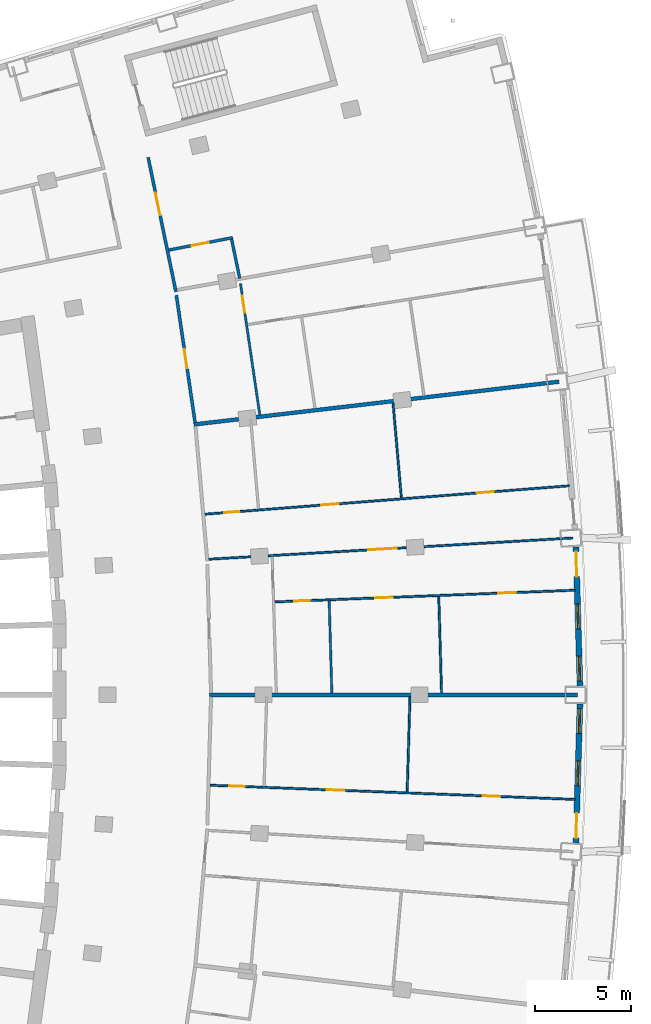
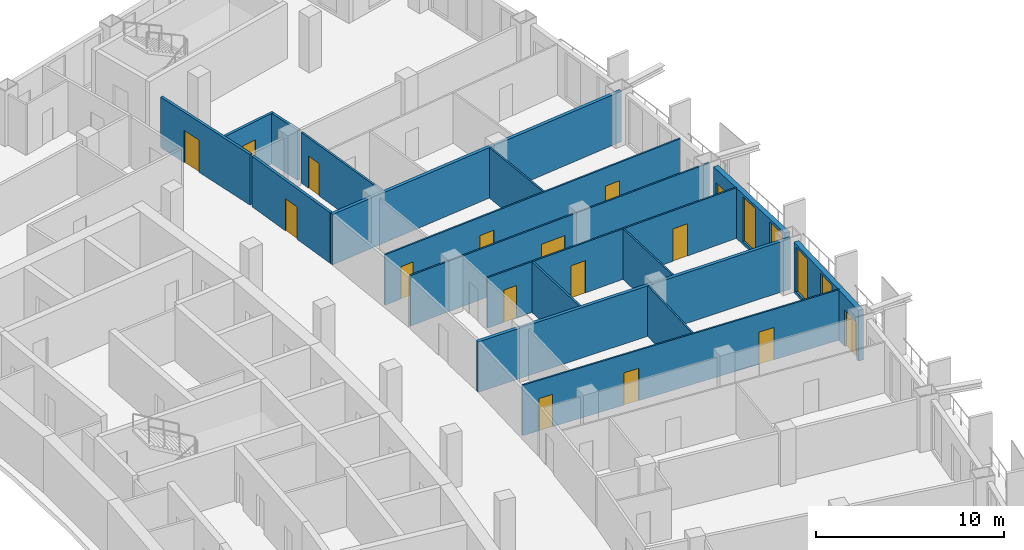
# One storey, part 15 of 20: 17 walls, 16 doors, 4 windows, 20 openings.
"""IFC4 building model written with IfcOpenShell, lengths in metres."""

from ifc_helpers import new_model, si_unit, direction, frame, frame_2d, origin, place, context, subcontext, project, spatial, rectangle, extrude, material, layer, layer_set, type_object, element, fill, save


model = new_model("IFC4")

# Units and contexts
model_context = context("Model", 3, precision=1e-05, world=origin(), true_north=direction((0.0, 1.0)))
body_context = subcontext(model_context, "Body", "Model", "MODEL_VIEW")
ifc_project = project(units=[si_unit("LENGTHUNIT", "METRE"), si_unit("AREAUNIT", "SQUARE_METRE"), si_unit("VOLUMEUNIT", "CUBIC_METRE"), si_unit("PLANEANGLEUNIT", "RADIAN"), si_unit("MASSUNIT", "GRAM", prefix="KILO")], contexts=[model_context])

# Site, building, storey
site_placement = place(None, origin())
site = spatial("IfcSite", under=ifc_project, at=site_placement, CompositionType="ELEMENT")
building_placement = place(site_placement, origin())
building = spatial("IfcBuilding", under=site, at=building_placement, Name="Alderwake Tower", CompositionType="ELEMENT")
storey_placement = place(building_placement, frame((0.0, 0.0, 142.39990234375)))
storey = spatial("IfcBuildingStorey", under=building, at=storey_placement, Name="L34", CompositionType="ELEMENT", Elevation=142.39990234375)

# Wall, opening, door
ifc_material_1 = material(Name="Gypsum board on metal studs, rated")
ifc_layer_1 = layer(ifc_material_1, 0.159912109375)
ifc_layer_set_1 = layer_set([ifc_layer_1], Name="Corridor wall 160")
wall_type_1 = type_object("IfcWallType", Name="Corridor wall 160", PredefinedType="PARTITIONING", material=ifc_layer_set_1)
wall_1_placement = place(storey_placement, frame((37.9169921875, 89.02490234375, 0.0), z_axis=(0.0, 0.0, 1.0), x_axis=(0.202409142021, -0.979301046271, 0.0)))
wall_1 = element("IfcWall", 1, at=wall_1_placement, inside=storey, type_object=wall_type_1, Name="WL/L34/W23", PredefinedType="PARTITIONING", context=body_context, shape_type="SweptSolid", body=[
    extrude(rectangle(XDim=7.150146484375, YDim=0.159912109375, at=frame_2d((3.5751953125, 0.0))), origin(), (0.0, 0.0, 1.0), 3.280029296875),
])
opening_1_placement = place(wall_1_placement, frame((1.874755859375, 0.0, 0.0)))
opening_1 = element("IfcOpeningElement", 2, at=opening_1_placement, cuts=wall_1, Name="Opening R09-AM1.1", PredefinedType="OPENING", context=body_context, shape_type="SweptSolid", body=[
    extrude(rectangle(XDim=1.199951171875, YDim=2.10009765625, at=frame_2d((0.60009765625, 1.050048828125))), frame((0.0, 0.08984375, 0.0), z_axis=(0.0, -1.0, 0.0), x_axis=(1.0, 0.0, 0.0)), (0.0, 0.0, 1.0), 0.179931640625),
])
ifc_material_2 = material(Name="Steel-framed fire door leaf", Category="steel")
door_type_1 = type_object("IfcDoorType", Name="Lobby door 1200 fire-rated", OperationType="SINGLE_SWING_LEFT", PredefinedType="DOOR", material=ifc_material_2)
door_1_placement = place(opening_1_placement, origin())
door_1 = element("IfcDoor", 3, at=door_1_placement, inside=storey, type_object=door_type_1, Name="DR/L34/AM1.1", OperationType="SINGLE_SWING_LEFT", OverallHeight=2.10009765625, OverallWidth=1.199951171875, PredefinedType="DOOR", context=body_context, shape_type="SweptSolid", body=[
    extrude(rectangle(XDim=1.199951171875, YDim=2.10009765625, at=frame_2d((0.60009765625, 1.050048828125))), frame((0.0, 0.02490234375, 0.0), z_axis=(0.0, -1.0, 0.0), x_axis=(1.0, 0.0, 0.0)), (0.0, 0.0, 1.0), 0.050048828125),
])
fill(opening_1, door_1)

wall_2_placement = place(storey_placement, frame((39.38671875, 81.837158203125, 0.0), z_axis=(0.0, 0.0, 1.0), x_axis=(0.145576845789, -0.989346947218, 0.0)))
wall_2 = element("IfcWall", 4, at=wall_2_placement, inside=storey, type_object=wall_type_1, Name="WL/L34/W25", PredefinedType="PARTITIONING", context=body_context, shape_type="SweptSolid", body=[
    extrude(rectangle(XDim=6.701416015625, YDim=0.159912109375, at=frame_2d((3.3505859375, 0.0))), origin(), (0.0, 0.0, 1.0), 3.280029296875),
])
opening_2_placement = place(wall_2_placement, frame((2.850830078125, 0.0, 0.0)))
opening_2 = element("IfcOpeningElement", 5, at=opening_2_placement, cuts=wall_2, Name="Opening R09-U07.2", PredefinedType="OPENING", context=body_context, shape_type="SweptSolid", body=[
    extrude(rectangle(XDim=1.0, YDim=2.10009765625, at=frame_2d((0.5, 1.050048828125))), frame((0.0, 0.08984375, 0.0), z_axis=(0.0, -1.0, 0.0), x_axis=(1.0, 0.0, 0.0)), (0.0, 0.0, 1.0), 0.179931640625),
])
ifc_material_3 = material(Name="Solid timber leaf in steel frame", Category="steel")
door_type_2 = type_object("IfcDoorType", Name="Flat entrance door 1000 fire-rated", OperationType="SINGLE_SWING_LEFT", PredefinedType="DOOR", material=ifc_material_3)
door_2_placement = place(opening_2_placement, origin())
door_2 = element("IfcDoor", 6, at=door_2_placement, inside=storey, type_object=door_type_2, Name="DR/L34/U07.2", OperationType="SINGLE_SWING_LEFT", OverallHeight=2.10009765625, OverallWidth=1.0, PredefinedType="DOOR", context=body_context, shape_type="SweptSolid", body=[
    extrude(rectangle(XDim=1.0, YDim=2.10009765625, at=frame_2d((0.5, 1.050048828125))), frame((0.0, 0.02490234375, 0.0), z_axis=(0.0, -1.0, 0.0), x_axis=(1.0, 0.0, 0.0)), (0.0, 0.0, 1.0), 0.050048828125),
])
fill(opening_2, door_2)

# Wall, openings, door, windows
ifc_material_4 = material(Name="Precast concrete C50/60 spandrel panel", Category="concrete")
ifc_layer_2 = layer(ifc_material_4, 0.300048828125)
ifc_layer_set_2 = layer_set([ifc_layer_2], Name="External wall EW1 Precast concrete C50/60 spandrel")
wall_type_2 = type_object("IfcWallType", Name="External wall EW1 Precast concrete C50/60 spandrel", PredefinedType="SOLIDWALL", material=ifc_layer_set_2)
wall_3_placement = place(storey_placement, frame((60.224853515625, 53.28466796875, 0.0), z_axis=(0.0, 0.0, 1.0), x_axis=(0.02918022007, 0.999574166711, 0.0)))
wall_3 = element("IfcWall", 7, at=wall_3_placement, inside=storey, type_object=wall_type_2, Name="External wall 15", PredefinedType="SOLIDWALL", context=body_context, shape_type="SweptSolid", body=[
    extrude(rectangle(XDim=7.24560546875, YDim=0.300048828125, at=frame_2d((3.622802734375, 0.0))), origin(), (0.0, 0.0, 1.0), 3.280029296875),
])
opening_3_placement = place(wall_3_placement, frame((0.2470703125, 0.0, 0.0)))
opening_3 = element("IfcOpeningElement", 8, at=opening_3_placement, cuts=wall_3, Name="Opening D05", PredefinedType="OPENING", context=body_context, shape_type="SweptSolid", body=[
    extrude(rectangle(XDim=1.300048828125, YDim=2.39990234375, at=frame_2d((0.64990234375, 1.199951171875))), frame((0.0, 0.159912109375, 0.0), z_axis=(0.0, -1.0, 0.0), x_axis=(1.0, 0.0, 0.0)), (0.0, 0.0, 1.0), 0.320068359375),
])
opening_4_placement = place(wall_3_placement, frame((2.97265625, 0.0, 0.199951171875)))
opening_4 = element("IfcOpeningElement", 9, at=opening_4_placement, cuts=wall_3, Name="Opening W1", PredefinedType="OPENING", context=body_context, shape_type="SweptSolid", body=[
    extrude(rectangle(XDim=1.300048828125, YDim=2.89990234375, at=frame_2d((0.64990234375, 1.449951171875))), frame((0.0, 0.159912109375, 0.0), z_axis=(0.0, -1.0, 0.0), x_axis=(1.0, 0.0, 0.0)), (0.0, 0.0, 1.0), 0.320068359375),
])
opening_5_placement = place(wall_3_placement, frame((5.698486328125, 0.0, 0.199951171875)))
opening_5 = element("IfcOpeningElement", 10, at=opening_5_placement, cuts=wall_3, Name="Opening W1", PredefinedType="OPENING", context=body_context, shape_type="SweptSolid", body=[
    extrude(rectangle(XDim=1.300048828125, YDim=2.89990234375, at=frame_2d((0.64990234375, 1.449951171875))), frame((0.0, 0.159912109375, 0.0), z_axis=(0.0, -1.0, 0.0), x_axis=(1.0, 0.0, 0.0)), (0.0, 0.0, 1.0), 0.320068359375),
])
ifc_material_5 = material(Name="Bronze tinted glass in aluminium frame", Category="aluminium")
door_type_3 = type_object("IfcDoorType", Name="Balcony door BD sliding", OperationType="SLIDING_TO_LEFT", PredefinedType="DOOR", material=ifc_material_5)
door_3_placement = place(opening_3_placement, origin())
door_3 = element("IfcDoor", 11, at=door_3_placement, inside=storey, type_object=door_type_3, Name="Door D05", OperationType="SLIDING_TO_LEFT", OverallHeight=2.39990234375, OverallWidth=1.300048828125, PredefinedType="DOOR", context=body_context, shape_type="SweptSolid", body=[
    extrude(rectangle(XDim=1.300048828125, YDim=2.39990234375, at=frame_2d((0.64990234375, 1.199951171875))), frame((0.0, 0.02490234375, 0.0), z_axis=(0.0, -1.0, 0.0), x_axis=(1.0, 0.0, 0.0)), (0.0, 0.0, 1.0), 0.050048828125),
])
fill(opening_3, door_3)
ifc_material_6 = material(Name="Bronze tinted glass in aluminium frame", Category="aluminium")
window_type = type_object("IfcWindowType", Name="Window W1 tall fixed and vent", PartitioningType="DOUBLE_PANEL_VERTICAL", PredefinedType="WINDOW", material=ifc_material_6)
window_1_placement = place(opening_4_placement, origin())
window_1 = element("IfcWindow", 12, at=window_1_placement, inside=storey, type_object=window_type, Name="Window W1 tall fixed and vent", OverallHeight=2.89990234375, OverallWidth=1.300048828125, PartitioningType="DOUBLE_PANEL_VERTICAL", PredefinedType="WINDOW", context=body_context, shape_type="SweptSolid", body=[
    extrude(rectangle(XDim=1.300048828125, YDim=2.89990234375, at=frame_2d((0.64990234375, 1.449951171875))), frame((0.0, 0.030029296875, 0.0), z_axis=(0.0, -1.0, 0.0), x_axis=(1.0, 0.0, 0.0)), (0.0, 0.0, 1.0), 0.06005859375),
])
fill(opening_4, window_1)
window_2_placement = place(opening_5_placement, origin())
window_2 = element("IfcWindow", 13, at=window_2_placement, inside=storey, type_object=window_type, Name="Window W1 tall fixed and vent", OverallHeight=2.89990234375, OverallWidth=1.300048828125, PartitioningType="DOUBLE_PANEL_VERTICAL", PredefinedType="WINDOW", context=body_context, shape_type="SweptSolid", body=[
    extrude(rectangle(XDim=1.300048828125, YDim=2.89990234375, at=frame_2d((0.64990234375, 1.449951171875))), frame((0.0, 0.030029296875, 0.0), z_axis=(0.0, -1.0, 0.0), x_axis=(1.0, 0.0, 0.0)), (0.0, 0.0, 1.0), 0.06005859375),
])
fill(opening_5, window_2)

wall_4_placement = place(storey_placement, frame((60.436279296875, 61.472900390625, 0.0), z_axis=(0.0, 0.0, 1.0), x_axis=(-0.02918022007, 0.999574166711, 0.0)))
wall_4 = element("IfcWall", 14, at=wall_4_placement, inside=storey, type_object=wall_type_2, Name="External wall 16", PredefinedType="SOLIDWALL", context=body_context, shape_type="SweptSolid", body=[
    extrude(rectangle(XDim=7.24560546875, YDim=0.300048828125, at=frame_2d((3.622802734375, 0.0))), origin(), (0.0, 0.0, 1.0), 3.280029296875),
])
opening_6_placement = place(wall_4_placement, frame((0.2470703125, 0.0, 0.199951171875)))
opening_6 = element("IfcOpeningElement", 15, at=opening_6_placement, cuts=wall_4, Name="Opening W1", PredefinedType="OPENING", context=body_context, shape_type="SweptSolid", body=[
    extrude(rectangle(XDim=1.300048828125, YDim=2.89990234375, at=frame_2d((0.64990234375, 1.449951171875))), frame((0.0, 0.159912109375, 0.0), z_axis=(0.0, -1.0, 0.0), x_axis=(1.0, 0.0, 0.0)), (0.0, 0.0, 1.0), 0.320068359375),
])
opening_7_placement = place(wall_4_placement, frame((2.97265625, 0.0, 0.199951171875)))
opening_7 = element("IfcOpeningElement", 16, at=opening_7_placement, cuts=wall_4, Name="Opening W1", PredefinedType="OPENING", context=body_context, shape_type="SweptSolid", body=[
    extrude(rectangle(XDim=1.300048828125, YDim=2.89990234375, at=frame_2d((0.64990234375, 1.449951171875))), frame((0.0, 0.159912109375, 0.0), z_axis=(0.0, -1.0, 0.0), x_axis=(1.0, 0.0, 0.0)), (0.0, 0.0, 1.0), 0.320068359375),
])
opening_8_placement = place(wall_4_placement, frame((5.698486328125, 0.0, 0.0)))
opening_8 = element("IfcOpeningElement", 17, at=opening_8_placement, cuts=wall_4, Name="Opening D06", PredefinedType="OPENING", context=body_context, shape_type="SweptSolid", body=[
    extrude(rectangle(XDim=1.300048828125, YDim=2.39990234375, at=frame_2d((0.64990234375, 1.199951171875))), frame((0.0, 0.159912109375, 0.0), z_axis=(0.0, -1.0, 0.0), x_axis=(1.0, 0.0, 0.0)), (0.0, 0.0, 1.0), 0.320068359375),
])
door_4_placement = place(opening_8_placement, origin())
door_4 = element("IfcDoor", 18, at=door_4_placement, inside=storey, type_object=door_type_3, Name="Door D06", OperationType="SLIDING_TO_LEFT", OverallHeight=2.39990234375, OverallWidth=1.300048828125, PredefinedType="DOOR", context=body_context, shape_type="SweptSolid", body=[
    extrude(rectangle(XDim=1.300048828125, YDim=2.39990234375, at=frame_2d((0.64990234375, 1.199951171875))), frame((0.0, 0.02490234375, 0.0), z_axis=(0.0, -1.0, 0.0), x_axis=(1.0, 0.0, 0.0)), (0.0, 0.0, 1.0), 0.050048828125),
])
fill(opening_8, door_4)
window_3_placement = place(opening_6_placement, origin())
window_3 = element("IfcWindow", 19, at=window_3_placement, inside=storey, type_object=window_type, Name="Window W1 tall fixed and vent", OverallHeight=2.89990234375, OverallWidth=1.300048828125, PartitioningType="DOUBLE_PANEL_VERTICAL", PredefinedType="WINDOW", context=body_context, shape_type="SweptSolid", body=[
    extrude(rectangle(XDim=1.300048828125, YDim=2.89990234375, at=frame_2d((0.64990234375, 1.449951171875))), frame((0.0, 0.030029296875, 0.0), z_axis=(0.0, -1.0, 0.0), x_axis=(1.0, 0.0, 0.0)), (0.0, 0.0, 1.0), 0.06005859375),
])
fill(opening_6, window_3)
window_4_placement = place(opening_7_placement, origin())
window_4 = element("IfcWindow", 20, at=window_4_placement, inside=storey, type_object=window_type, Name="Window W1 tall fixed and vent", OverallHeight=2.89990234375, OverallWidth=1.300048828125, PartitioningType="DOUBLE_PANEL_VERTICAL", PredefinedType="WINDOW", context=body_context, shape_type="SweptSolid", body=[
    extrude(rectangle(XDim=1.300048828125, YDim=2.89990234375, at=frame_2d((0.64990234375, 1.449951171875))), frame((0.0, 0.030029296875, 0.0), z_axis=(0.0, -1.0, 0.0), x_axis=(1.0, 0.0, 0.0)), (0.0, 0.0, 1.0), 0.06005859375),
])
fill(opening_7, window_4)

# Walls
ifc_material_7 = material(Name="Dense block masonry wall", Category="masonry")
ifc_layer_3 = layer(ifc_material_7, 0.199951171875)
ifc_layer_set_3 = layer_set([ifc_layer_3], Name="Party wall 200")
wall_type_3 = type_object("IfcWallType", Name="Party wall 200", PredefinedType="SOLIDWALL", material=ifc_layer_set_3)
wall_5_placement = place(storey_placement, frame((40.297607421875, 75.0986328125, 0.0), z_axis=(0.0, 0.0, 1.0), x_axis=(0.993202294783, 0.116401037957, 0.0)))
element("IfcWall", 21, at=wall_5_placement, inside=storey, type_object=wall_type_3, Name="WL/L34/W01", PredefinedType="SOLIDWALL", context=body_context, shape_type="SweptSolid", body=[
    extrude(rectangle(XDim=19.1787109375, YDim=0.199951171875, at=frame_2d((9.58935546875, 0.0))), origin(), (0.0, 0.0, 1.0), 3.280029296875),
])
wall_6_placement = place(storey_placement, frame((60.300048828125, 60.9990234375, 0.0), z_axis=(0.0, 0.0, 1.0), x_axis=(-1.0, 0.0, 0.0)))
element("IfcWall", 22, at=wall_6_placement, inside=storey, type_object=wall_type_3, Name="WL/L34/W06", PredefinedType="SOLIDWALL", context=body_context, shape_type="SweptSolid", body=[
    extrude(rectangle(XDim=19.18115234375, YDim=0.199951171875, at=frame_2d((9.590576171875, 0.0))), origin(), (0.0, 0.0, 1.0), 3.280029296875),
])

# Wall, opening, door
ifc_material_8 = material(Name="Gypsum shaft wall system, rated")
ifc_layer_4 = layer(ifc_material_8, 0.14990234375)
ifc_layer_set_4 = layer_set([ifc_layer_4], Name="Riser and shaft wall 150")
wall_type_4 = type_object("IfcWallType", Name="Riser and shaft wall 150", PredefinedType="PARTITIONING", material=ifc_layer_set_4)
wall_7_placement = place(storey_placement, frame((42.32861328125, 84.84228515625, 0.0), z_axis=(0.0, 0.0, 1.0), x_axis=(-0.981655808185, -0.190661674853, 0.0)))
wall_7 = element("IfcWall", 23, at=wall_7_placement, inside=storey, type_object=wall_type_4, Name="WL/L34/W09", PredefinedType="PARTITIONING", context=body_context, shape_type="SweptSolid", body=[
    extrude(rectangle(XDim=3.393310546875, YDim=0.14990234375, at=frame_2d((1.69677734375, 0.0))), origin(), (0.0, 0.0, 1.0), 3.280029296875),
])
opening_9_placement = place(wall_7_placement, frame((1.2841796875, 0.0, 0.0)))
opening_9 = element("IfcOpeningElement", 24, at=opening_9_placement, cuts=wall_7, Name="Opening R09-AM1.2", PredefinedType="OPENING", context=body_context, shape_type="SweptSolid", body=[
    extrude(rectangle(XDim=0.89990234375, YDim=2.10009765625, at=frame_2d((0.449951171875, 1.050048828125))), frame((0.0, 0.0849609375, 0.0), z_axis=(0.0, -1.0, 0.0), x_axis=(1.0, 0.0, 0.0)), (0.0, 0.0, 1.0), 0.169921875),
])
ifc_material_9 = material(Name="Painted timber leaf", Category="wood")
door_type_4 = type_object("IfcDoorType", Name="Room door 900", OperationType="SINGLE_SWING_LEFT", PredefinedType="DOOR", material=ifc_material_9)
door_5_placement = place(opening_9_placement, origin())
door_5 = element("IfcDoor", 25, at=door_5_placement, inside=storey, type_object=door_type_4, Name="DR/L34/AM1.2", OperationType="SINGLE_SWING_LEFT", OverallHeight=2.10009765625, OverallWidth=0.89990234375, PredefinedType="DOOR", context=body_context, shape_type="SweptSolid", body=[
    extrude(rectangle(XDim=0.89990234375, YDim=2.10009765625, at=frame_2d((0.449951171875, 1.050048828125))), frame((0.0, 0.02490234375, 0.0), z_axis=(0.0, -1.0, 0.0), x_axis=(1.0, 0.0, 0.0)), (0.0, 0.0, 1.0), 0.050048828125),
])
fill(opening_9, door_5)

# Wall
wall_8_placement = place(storey_placement, frame((42.69189453125, 82.714599609375, 0.0), z_axis=(0.0, 0.0, 1.0), x_axis=(-0.202423435623, 0.979298091855, 0.0)))
element("IfcWall", 26, at=wall_8_placement, inside=storey, type_object=wall_type_4, Name="WL/L34/W10", PredefinedType="PARTITIONING", context=body_context, shape_type="SweptSolid", body=[
    extrude(rectangle(XDim=2.0830078125, YDim=0.14990234375, at=frame_2d((1.04150390625, 0.0))), origin(), (0.0, 0.0, 1.0), 3.280029296875),
])

# Wall, openings, doors
ifc_material_10 = material(Name="Gypsum board on metal studs")
ifc_layer_5 = layer(ifc_material_10, 0.10009765625)
ifc_layer_set_5 = layer_set([ifc_layer_5], Name="Unit partition 100")
wall_type_5 = type_object("IfcWallType", Name="Unit partition 100", PredefinedType="PARTITIONING", material=ifc_layer_set_5)
wall_9_placement = place(storey_placement, frame((40.867919921875, 70.419189453125, 0.0), z_axis=(0.0, 0.0, 1.0), x_axis=(0.996975008821, 0.077722788071, 0.0)))
wall_9 = element("IfcWall", 27, at=wall_9_placement, inside=storey, type_object=wall_type_5, Name="WL/L34/W46", PredefinedType="PARTITIONING", context=body_context, shape_type="SweptSolid", body=[
    extrude(rectangle(XDim=19.063720703125, YDim=0.10009765625, at=frame_2d((9.53173828125, 0.0))), origin(), (0.0, 0.0, 1.0), 3.280029296875),
])
opening_10_placement = place(wall_9_placement, frame((6.10400390625, 0.0, 0.0)))
opening_10 = element("IfcOpeningElement", 28, at=opening_10_placement, cuts=wall_9, Name="Opening R09-U06.6", PredefinedType="OPENING", context=body_context, shape_type="SweptSolid", body=[
    extrude(rectangle(XDim=0.89990234375, YDim=2.10009765625, at=frame_2d((0.449951171875, 1.050048828125))), frame((0.0, 0.06005859375, 0.0), z_axis=(0.0, -1.0, 0.0), x_axis=(1.0, 0.0, 0.0)), (0.0, 0.0, 1.0), 0.1201171875),
])
opening_11_placement = place(wall_9_placement, frame((1.009521484375, 0.0, 0.0)))
opening_11 = element("IfcOpeningElement", 29, at=opening_11_placement, cuts=wall_9, Name="Opening R09-U06.7", PredefinedType="OPENING", context=body_context, shape_type="SweptSolid", body=[
    extrude(rectangle(XDim=0.800048828125, YDim=2.10009765625, at=frame_2d((0.39990234375, 1.050048828125))), frame((0.0, 0.06005859375, 0.0), z_axis=(0.0, -1.0, 0.0), x_axis=(1.0, 0.0, 0.0)), (0.0, 0.0, 1.0), 0.1201171875),
])
opening_12_placement = place(wall_9_placement, frame((14.225830078125, 0.0, 0.0)))
opening_12 = element("IfcOpeningElement", 30, at=opening_12_placement, cuts=wall_9, Name="Opening R09-U06.8", PredefinedType="OPENING", context=body_context, shape_type="SweptSolid", body=[
    extrude(rectangle(XDim=0.89990234375, YDim=2.10009765625, at=frame_2d((0.449951171875, 1.050048828125))), frame((0.0, 0.06005859375, 0.0), z_axis=(0.0, -1.0, 0.0), x_axis=(1.0, 0.0, 0.0)), (0.0, 0.0, 1.0), 0.1201171875),
])
ifc_material_11 = material(Name="Painted timber leaf", Category="wood")
door_type_5 = type_object("IfcDoorType", Name="Bathroom door 800", OperationType="SINGLE_SWING_LEFT", PredefinedType="DOOR", material=ifc_material_11)
door_6_placement = place(opening_11_placement, origin())
door_6 = element("IfcDoor", 31, at=door_6_placement, inside=storey, type_object=door_type_5, Name="DR/L34/U06.7", OperationType="SINGLE_SWING_LEFT", OverallHeight=2.10009765625, OverallWidth=0.800048828125, PredefinedType="DOOR", context=body_context, shape_type="SweptSolid", body=[
    extrude(rectangle(XDim=0.800048828125, YDim=2.10009765625, at=frame_2d((0.39990234375, 1.050048828125))), frame((0.0, 0.02490234375, 0.0), z_axis=(0.0, -1.0, 0.0), x_axis=(1.0, 0.0, 0.0)), (0.0, 0.0, 1.0), 0.050048828125),
])
fill(opening_11, door_6)
door_7_placement = place(opening_10_placement, origin())
door_7 = element("IfcDoor", 32, at=door_7_placement, inside=storey, type_object=door_type_4, Name="DR/L34/U06.6", OperationType="SINGLE_SWING_LEFT", OverallHeight=2.10009765625, OverallWidth=0.89990234375, PredefinedType="DOOR", context=body_context, shape_type="SweptSolid", body=[
    extrude(rectangle(XDim=0.89990234375, YDim=2.10009765625, at=frame_2d((0.449951171875, 1.050048828125))), frame((0.0, 0.02490234375, 0.0), z_axis=(0.0, -1.0, 0.0), x_axis=(1.0, 0.0, 0.0)), (0.0, 0.0, 1.0), 0.050048828125),
])
fill(opening_10, door_7)
door_8_placement = place(opening_12_placement, origin())
door_8 = element("IfcDoor", 33, at=door_8_placement, inside=storey, type_object=door_type_4, Name="DR/L34/U06.8", OperationType="SINGLE_SWING_LEFT", OverallHeight=2.10009765625, OverallWidth=0.89990234375, PredefinedType="DOOR", context=body_context, shape_type="SweptSolid", body=[
    extrude(rectangle(XDim=0.89990234375, YDim=2.10009765625, at=frame_2d((0.449951171875, 1.050048828125))), frame((0.0, 0.02490234375, 0.0), z_axis=(0.0, -1.0, 0.0), x_axis=(1.0, 0.0, 0.0)), (0.0, 0.0, 1.0), 0.050048828125),
])
fill(opening_12, door_8)

# Wall, opening, door
wall_10_placement = place(storey_placement, frame((41.074951171875, 68.07177734375, 0.0), z_axis=(0.0, 0.0, 1.0), x_axis=(0.998300831889, 0.058270481797, 0.0)))
wall_10 = element("IfcWall", 34, at=wall_10_placement, inside=storey, type_object=wall_type_5, Name="WL/L34/W47", PredefinedType="PARTITIONING", context=body_context, shape_type="SweptSolid", body=[
    extrude(rectangle(XDim=19.017333984375, YDim=0.10009765625, at=frame_2d((9.5087890625, 0.0))), origin(), (0.0, 0.0, 1.0), 3.280029296875),
])
opening_13_placement = place(wall_10_placement, frame((8.32421875, 0.0, 0.0)))
opening_13 = element("IfcOpeningElement", 35, at=opening_13_placement, cuts=wall_10, Name="Opening R09-U06.9", PredefinedType="OPENING", context=body_context, shape_type="SweptSolid", body=[
    extrude(rectangle(XDim=1.5, YDim=2.10009765625, at=frame_2d((0.75, 1.050048828125))), frame((0.0, 0.06005859375, 0.0), z_axis=(0.0, -1.0, 0.0), x_axis=(1.0, 0.0, 0.0)), (0.0, 0.0, 1.0), 0.1201171875),
])
ifc_material_12 = material(Name="Painted timber leaves", Category="wood")
door_type_6 = type_object("IfcDoorType", Name="Double leaf door 1500", OperationType="DOUBLE_DOOR_SINGLE_SWING", PredefinedType="DOOR", material=ifc_material_12)
door_9_placement = place(opening_13_placement, origin())
door_9 = element("IfcDoor", 36, at=door_9_placement, inside=storey, type_object=door_type_6, Name="DR/L34/U06.9", OperationType="DOUBLE_DOOR_SINGLE_SWING", OverallHeight=2.10009765625, OverallWidth=1.5, PredefinedType="DOOR", context=body_context, shape_type="SweptSolid", body=[
    extrude(rectangle(XDim=1.5, YDim=2.10009765625, at=frame_2d((0.75, 1.050048828125))), frame((0.0, 0.02490234375, 0.0), z_axis=(0.0, -1.0, 0.0), x_axis=(1.0, 0.0, 0.0)), (0.0, 0.0, 1.0), 0.050048828125),
])
fill(opening_13, door_9)

# Wall, openings, doors
wall_11_placement = place(storey_placement, frame((41.143798828125, 56.285888671875, 0.0), z_axis=(0.0, 0.0, 1.0), x_axis=(0.999244261002, -0.038870385308, 0.0)))
wall_11 = element("IfcWall", 37, at=wall_11_placement, inside=storey, type_object=wall_type_5, Name="WL/L34/W48", PredefinedType="PARTITIONING", context=body_context, shape_type="SweptSolid", body=[
    extrude(rectangle(XDim=19.0625, YDim=0.10009765625, at=frame_2d((9.53125, 0.0))), origin(), (0.0, 0.0, 1.0), 3.280029296875),
])
opening_14_placement = place(wall_11_placement, frame((6.102783203125, 0.0, 0.0)))
opening_14 = element("IfcOpeningElement", 38, at=opening_14_placement, cuts=wall_11, Name="Opening R09-U05.5", PredefinedType="OPENING", context=body_context, shape_type="SweptSolid", body=[
    extrude(rectangle(XDim=0.89990234375, YDim=2.10009765625, at=frame_2d((0.449951171875, 1.050048828125))), frame((0.0, 0.06005859375, 0.0), z_axis=(0.0, -1.0, 0.0), x_axis=(1.0, 0.0, 0.0)), (0.0, 0.0, 1.0), 0.1201171875),
])
opening_15_placement = place(wall_11_placement, frame((1.0087890625, 0.0, 0.0)))
opening_15 = element("IfcOpeningElement", 39, at=opening_15_placement, cuts=wall_11, Name="Opening R09-U05.6", PredefinedType="OPENING", context=body_context, shape_type="SweptSolid", body=[
    extrude(rectangle(XDim=0.800048828125, YDim=2.10009765625, at=frame_2d((0.39990234375, 1.050048828125))), frame((0.0, 0.06005859375, 0.0), z_axis=(0.0, -1.0, 0.0), x_axis=(1.0, 0.0, 0.0)), (0.0, 0.0, 1.0), 0.1201171875),
])
opening_16_placement = place(wall_11_placement, frame((14.224609375, 0.0, 0.0)))
opening_16 = element("IfcOpeningElement", 40, at=opening_16_placement, cuts=wall_11, Name="Opening R09-U05.7", PredefinedType="OPENING", context=body_context, shape_type="SweptSolid", body=[
    extrude(rectangle(XDim=0.89990234375, YDim=2.10009765625, at=frame_2d((0.449951171875, 1.050048828125))), frame((0.0, 0.06005859375, 0.0), z_axis=(0.0, -1.0, 0.0), x_axis=(1.0, 0.0, 0.0)), (0.0, 0.0, 1.0), 0.1201171875),
])
door_10_placement = place(opening_15_placement, origin())
door_10 = element("IfcDoor", 41, at=door_10_placement, inside=storey, type_object=door_type_5, Name="DR/L34/U05.6", OperationType="SINGLE_SWING_LEFT", OverallHeight=2.10009765625, OverallWidth=0.800048828125, PredefinedType="DOOR", context=body_context, shape_type="SweptSolid", body=[
    extrude(rectangle(XDim=0.800048828125, YDim=2.10009765625, at=frame_2d((0.39990234375, 1.050048828125))), frame((0.0, 0.02490234375, 0.0), z_axis=(0.0, -1.0, 0.0), x_axis=(1.0, 0.0, 0.0)), (0.0, 0.0, 1.0), 0.050048828125),
])
fill(opening_15, door_10)
door_11_placement = place(opening_14_placement, origin())
door_11 = element("IfcDoor", 42, at=door_11_placement, inside=storey, type_object=door_type_4, Name="DR/L34/U05.5", OperationType="SINGLE_SWING_LEFT", OverallHeight=2.10009765625, OverallWidth=0.89990234375, PredefinedType="DOOR", context=body_context, shape_type="SweptSolid", body=[
    extrude(rectangle(XDim=0.89990234375, YDim=2.10009765625, at=frame_2d((0.449951171875, 1.050048828125))), frame((0.0, 0.02490234375, 0.0), z_axis=(0.0, -1.0, 0.0), x_axis=(1.0, 0.0, 0.0)), (0.0, 0.0, 1.0), 0.050048828125),
])
fill(opening_14, door_11)
door_12_placement = place(opening_16_placement, origin())
door_12 = element("IfcDoor", 43, at=door_12_placement, inside=storey, type_object=door_type_4, Name="DR/L34/U05.7", OperationType="SINGLE_SWING_LEFT", OverallHeight=2.10009765625, OverallWidth=0.89990234375, PredefinedType="DOOR", context=body_context, shape_type="SweptSolid", body=[
    extrude(rectangle(XDim=0.89990234375, YDim=2.10009765625, at=frame_2d((0.449951171875, 1.050048828125))), frame((0.0, 0.02490234375, 0.0), z_axis=(0.0, -1.0, 0.0), x_axis=(1.0, 0.0, 0.0)), (0.0, 0.0, 1.0), 0.050048828125),
])
fill(opening_16, door_12)

wall_12_placement = place(storey_placement, frame((60.19189453125, 66.4560546875, 0.0), z_axis=(0.0, 0.0, 1.0), x_axis=(-0.999243689467, -0.038885075029, 0.0)))
wall_12 = element("IfcWall", 44, at=wall_12_placement, inside=storey, type_object=wall_type_5, Name="WL/L34/W50", PredefinedType="PARTITIONING", context=body_context, shape_type="SweptSolid", body=[
    extrude(rectangle(XDim=15.683837890625, YDim=0.10009765625, at=frame_2d((7.841796875, 0.0))), origin(), (0.0, 0.0, 1.0), 3.280029296875),
])
opening_17_placement = place(wall_12_placement, frame((9.537353515625, 0.0, 0.0)))
opening_17 = element("IfcOpeningElement", 45, at=opening_17_placement, cuts=wall_12, Name="Opening R09-U06.1", PredefinedType="OPENING", context=body_context, shape_type="SweptSolid", body=[
    extrude(rectangle(XDim=0.89990234375, YDim=2.10009765625, at=frame_2d((0.449951171875, 1.050048828125))), frame((0.0, 0.06005859375, 0.0), z_axis=(0.0, -1.0, 0.0), x_axis=(1.0, 0.0, 0.0)), (0.0, 0.0, 1.0), 0.1201171875),
])
opening_18_placement = place(wall_12_placement, frame((13.864990234375, 0.0, 0.0)))
opening_18 = element("IfcOpeningElement", 46, at=opening_18_placement, cuts=wall_12, Name="Opening R09-U06.4", PredefinedType="OPENING", context=body_context, shape_type="SweptSolid", body=[
    extrude(rectangle(XDim=0.800048828125, YDim=2.10009765625, at=frame_2d((0.39990234375, 1.050048828125))), frame((0.0, 0.06005859375, 0.0), z_axis=(0.0, -1.0, 0.0), x_axis=(1.0, 0.0, 0.0)), (0.0, 0.0, 1.0), 0.1201171875),
])
opening_19_placement = place(wall_12_placement, frame((3.114990234375, 0.0, 0.0)))
opening_19 = element("IfcOpeningElement", 47, at=opening_19_placement, cuts=wall_12, Name="Opening R09-U06.5", PredefinedType="OPENING", context=body_context, shape_type="SweptSolid", body=[
    extrude(rectangle(XDim=0.89990234375, YDim=2.10009765625, at=frame_2d((0.449951171875, 1.050048828125))), frame((0.0, 0.06005859375, 0.0), z_axis=(0.0, -1.0, 0.0), x_axis=(1.0, 0.0, 0.0)), (0.0, 0.0, 1.0), 0.1201171875),
])
door_13_placement = place(opening_18_placement, origin())
door_13 = element("IfcDoor", 48, at=door_13_placement, inside=storey, type_object=door_type_5, Name="DR/L34/U06.4", OperationType="SINGLE_SWING_LEFT", OverallHeight=2.10009765625, OverallWidth=0.800048828125, PredefinedType="DOOR", context=body_context, shape_type="SweptSolid", body=[
    extrude(rectangle(XDim=0.800048828125, YDim=2.10009765625, at=frame_2d((0.39990234375, 1.050048828125))), frame((0.0, 0.02490234375, 0.0), z_axis=(0.0, -1.0, 0.0), x_axis=(1.0, 0.0, 0.0)), (0.0, 0.0, 1.0), 0.050048828125),
])
fill(opening_18, door_13)
door_14_placement = place(opening_17_placement, origin())
door_14 = element("IfcDoor", 49, at=door_14_placement, inside=storey, type_object=door_type_4, Name="DR/L34/U06.1", OperationType="SINGLE_SWING_LEFT", OverallHeight=2.10009765625, OverallWidth=0.89990234375, PredefinedType="DOOR", context=body_context, shape_type="SweptSolid", body=[
    extrude(rectangle(XDim=0.89990234375, YDim=2.10009765625, at=frame_2d((0.449951171875, 1.050048828125))), frame((0.0, 0.02490234375, 0.0), z_axis=(0.0, -1.0, 0.0), x_axis=(1.0, 0.0, 0.0)), (0.0, 0.0, 1.0), 0.050048828125),
])
fill(opening_17, door_14)
door_15_placement = place(opening_19_placement, origin())
door_15 = element("IfcDoor", 50, at=door_15_placement, inside=storey, type_object=door_type_4, Name="DR/L34/U06.5", OperationType="SINGLE_SWING_LEFT", OverallHeight=2.10009765625, OverallWidth=0.89990234375, PredefinedType="DOOR", context=body_context, shape_type="SweptSolid", body=[
    extrude(rectangle(XDim=0.89990234375, YDim=2.10009765625, at=frame_2d((0.449951171875, 1.050048828125))), frame((0.0, 0.02490234375, 0.0), z_axis=(0.0, -1.0, 0.0), x_axis=(1.0, 0.0, 0.0)), (0.0, 0.0, 1.0), 0.050048828125),
])
fill(opening_19, door_15)

# Walls
wall_13_placement = place(storey_placement, frame((51.12158203125, 71.269775390625, 0.0), z_axis=(0.0, 0.0, 1.0), x_axis=(-0.087404299635, 0.996172920936, 0.0)))
element("IfcWall", 51, at=wall_13_placement, inside=storey, type_object=wall_type_5, Name="WL/L34/W52", PredefinedType="PARTITIONING", context=body_context, shape_type="SweptSolid", body=[
    extrude(rectangle(XDim=4.963623046875, YDim=0.10009765625, at=frame_2d((2.48193359375, 0.0))), origin(), (0.0, 0.0, 1.0), 3.280029296875),
])
wall_14_placement = place(storey_placement, frame((51.424560546875, 55.93701171875, 0.0), z_axis=(0.0, 0.0, 1.0), x_axis=(0.029312335146, 0.999570301184, 0.0)))
element("IfcWall", 52, at=wall_14_placement, inside=storey, type_object=wall_type_5, Name="WL/L34/W53", PredefinedType="PARTITIONING", context=body_context, shape_type="SweptSolid", body=[
    extrude(rectangle(XDim=4.964111328125, YDim=0.10009765625, at=frame_2d((2.48193359375, 0.0))), origin(), (0.0, 0.0, 1.0), 3.280029296875),
])
wall_15_placement = place(storey_placement, frame((53.217041015625, 61.09912109375, 0.0), z_axis=(0.0, 0.0, 1.0), x_axis=(-0.02897685294, 0.999580082832, 0.0)))
element("IfcWall", 53, at=wall_15_placement, inside=storey, type_object=wall_type_5, Name="WL/L34/W55", PredefinedType="PARTITIONING", context=body_context, shape_type="SweptSolid", body=[
    extrude(rectangle(XDim=5.030029296875, YDim=0.10009765625, at=frame_2d((2.51513671875, 0.0))), origin(), (0.0, 0.0, 1.0), 3.280029296875),
])

# Wall, opening, door
ifc_material_13 = material(Name="Moisture resistant gypsum board on metal studs")
ifc_layer_6 = layer(ifc_material_13, 0.1201171875)
ifc_layer_set_6 = layer_set([ifc_layer_6], Name="Wet room partition 120")
wall_type_6 = type_object("IfcWallType", Name="Wet room partition 120", PredefinedType="PARTITIONING", material=ifc_layer_set_6)
wall_16_placement = place(storey_placement, frame((42.732421875, 82.44775390625, 0.0), z_axis=(0.0, 0.0, 1.0), x_axis=(0.14528876176, -0.989389294316, 0.0)))
wall_16 = element("IfcWall", 54, at=wall_16_placement, inside=storey, type_object=wall_type_6, Name="WL/L34/W37", PredefinedType="PARTITIONING", context=body_context, shape_type="SweptSolid", body=[
    extrude(rectangle(XDim=6.918212890625, YDim=0.1201171875, at=frame_2d((3.458984375, 0.0))), origin(), (0.0, 0.0, 1.0), 3.280029296875),
])
opening_20_placement = place(wall_16_placement, frame((0.63671875, 0.0, 0.0)))
opening_20 = element("IfcOpeningElement", 55, at=opening_20_placement, cuts=wall_16, Name="Opening R09-U07.3", PredefinedType="OPENING", context=body_context, shape_type="SweptSolid", body=[
    extrude(rectangle(XDim=0.89990234375, YDim=2.10009765625, at=frame_2d((0.449951171875, 1.050048828125))), frame((0.0, 0.070068359375, 0.0), z_axis=(0.0, -1.0, 0.0), x_axis=(1.0, 0.0, 0.0)), (0.0, 0.0, 1.0), 0.14013671875),
])
door_16_placement = place(opening_20_placement, origin())
door_16 = element("IfcDoor", 56, at=door_16_placement, inside=storey, type_object=door_type_4, Name="DR/L34/U07.3", OperationType="SINGLE_SWING_LEFT", OverallHeight=2.10009765625, OverallWidth=0.89990234375, PredefinedType="DOOR", context=body_context, shape_type="SweptSolid", body=[
    extrude(rectangle(XDim=0.89990234375, YDim=2.10009765625, at=frame_2d((0.449951171875, 1.050048828125))), frame((0.0, 0.02490234375, 0.0), z_axis=(0.0, -1.0, 0.0), x_axis=(1.0, 0.0, 0.0)), (0.0, 0.0, 1.0), 0.050048828125),
])
fill(opening_20, door_16)

# Wall
wall_17_placement = place(storey_placement, frame((47.49609375, 61.09912109375, 0.0), z_axis=(0.0, 0.0, 1.0), x_axis=(-0.029045398498, 0.99957809341, 0.0)))
element("IfcWall", 57, at=wall_17_placement, inside=storey, type_object=wall_type_6, Name="WL/L34/W44", PredefinedType="PARTITIONING", context=body_context, shape_type="SweptSolid", body=[
    extrude(rectangle(XDim=4.807861328125, YDim=0.1201171875, at=frame_2d((2.40380859375, 0.0))), origin(), (0.0, 0.0, 1.0), 3.280029296875),
])

save(model, "model.ifc")
